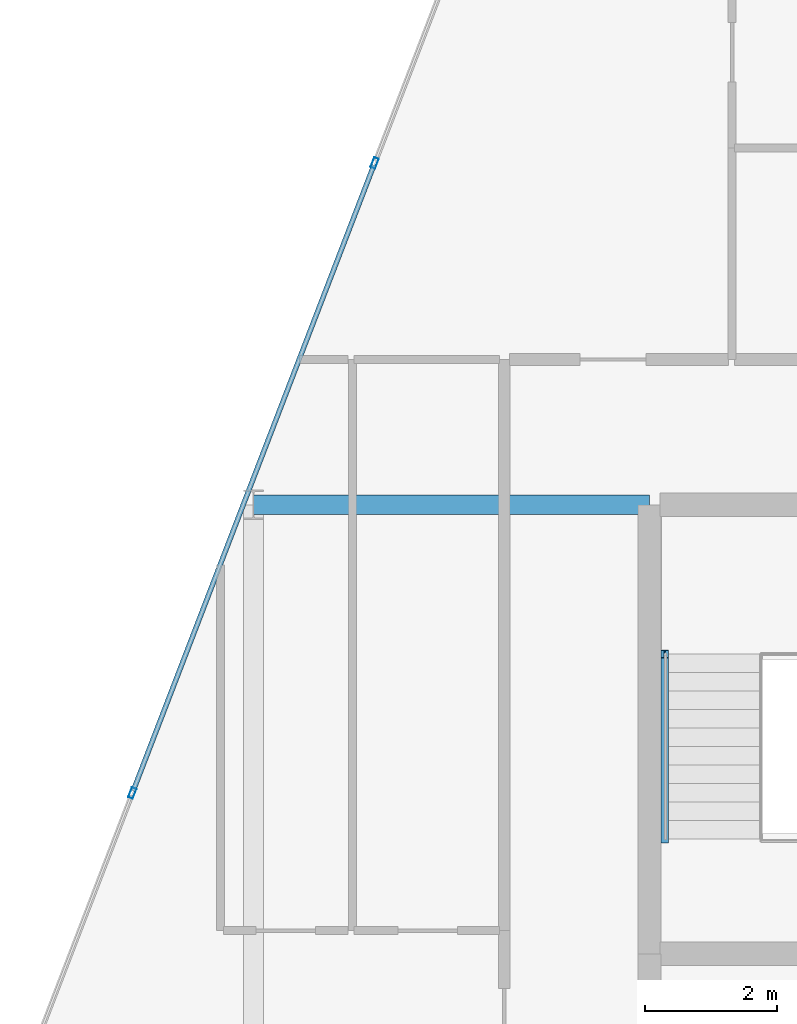
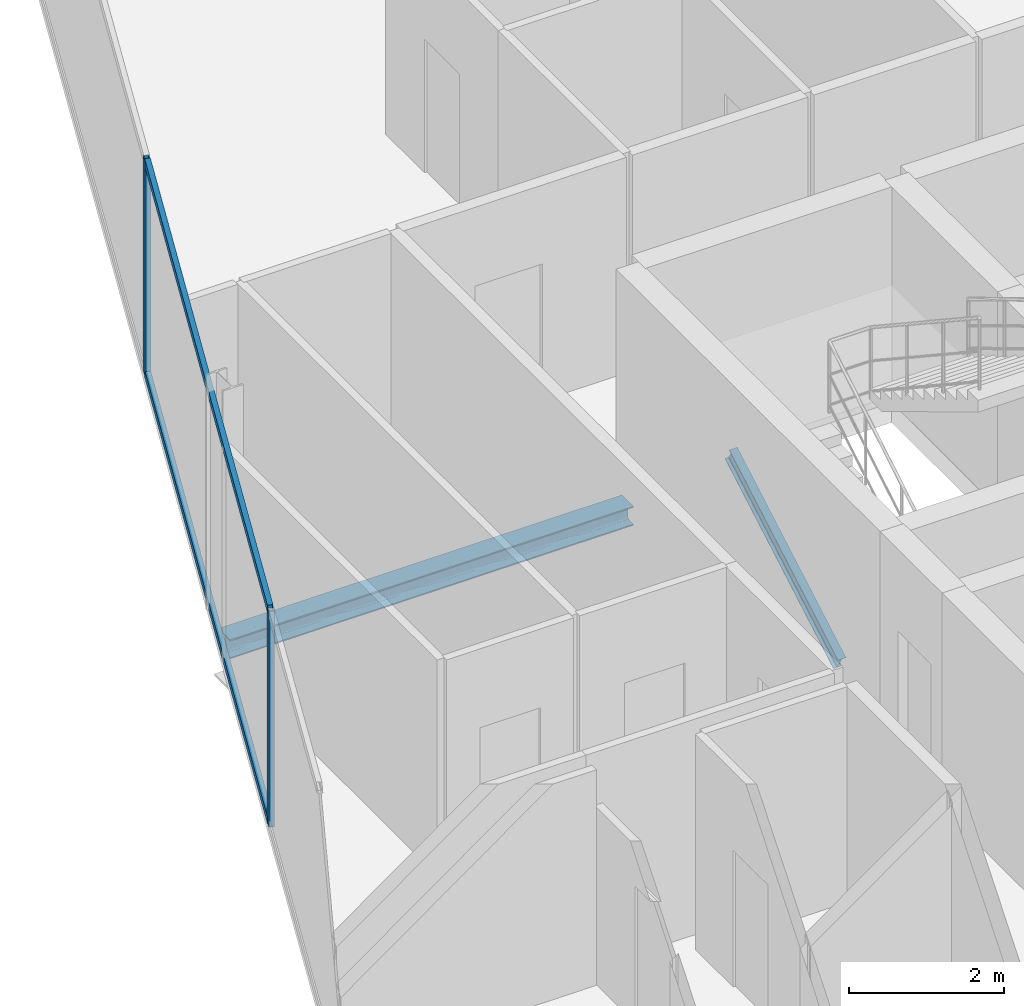
# One storey, part 16 of 29: 5 members, 1 beam, 1 element without a shape of its own.
"""IFC4 building model written with IfcOpenShell, lengths in metres."""

from ifc_helpers import new_model, si_unit, direction, frame, origin, origin_2d, place, context, subcontext, project, spatial, hollow_rectangle, i_section, extrude, material, layer, layer_set, material_profile, profile_set, type_object, element, aggregate, save


model = new_model("IFC4")

# Units and contexts
model_context = context("Model", 3, precision=1e-05, world=origin(), true_north=direction((0.0, 1.0)))
body_context = subcontext(model_context, "Body", "Model", "MODEL_VIEW")
ifc_project = project(units=[si_unit("LENGTHUNIT", "METRE"), si_unit("AREAUNIT", "SQUARE_METRE"), si_unit("VOLUMEUNIT", "CUBIC_METRE"), si_unit("PLANEANGLEUNIT", "RADIAN"), si_unit("MASSUNIT", "GRAM", prefix="KILO")], contexts=[model_context])

# Site, building, storey
site_placement = place(None, origin())
site = spatial("IfcSite", under=ifc_project, at=site_placement, CompositionType="ELEMENT")
building_placement = place(site_placement, origin())
building = spatial("IfcBuilding", under=site, at=building_placement, Name="Keshet Zoharim Tower", CompositionType="ELEMENT")
storey_placement = place(building_placement, frame((0.0, 0.0, 176.5)))
storey = spatial("IfcBuildingStorey", under=building, at=storey_placement, Name="L43", CompositionType="ELEMENT", Elevation=176.5)

# Beam
ifc_material_1 = material(Name="Steel S355", Category="steel")
ifc_material_profile_1 = material_profile(ifc_material_1, i_section(OverallWidth=0.300048828125, OverallDepth=0.300048828125, WebThickness=0.010986328125, FlangeThickness=0.01904296875, FilletRadius=0.027099609375, at=origin_2d()), Name="HEB300")
ifc_profile_set_1 = profile_set([ifc_material_profile_1], Name="Steel S355")
beam_type = type_object("IfcBeamType", Name="BM-PRI-HB300", PredefinedType="BEAM", material=ifc_profile_set_1)
beam_placement = place(storey_placement, frame((9.0, 37.89990234375, -0.4599609375), z_axis=(1.0, 0.0, 0.0), x_axis=(0.0, 1.0, 0.0)))
element("IfcBeam", 1, at=beam_placement, inside=storey, type_object=beam_type, Name="L43 Primary Girder X-017", PredefinedType="BEAM", context=body_context, shape_type="SweptSolid", body=[
    extrude(i_section(OverallWidth=0.300048828125, OverallDepth=0.300048828125, WebThickness=0.010986328125, FlangeThickness=0.01904296875, FilletRadius=0.027099609375, at=origin_2d()), origin(), (0.0, 0.0, 1.0), 6.0),
])

# Curtain wall, members
ifc_material_2 = material(Name="Aluminium 6063-T6", Category="aluminium")
ifc_layer = layer(ifc_material_2, 0.139892578125)
ifc_layer_set = layer_set([ifc_layer], Name="Aluminium 6063-T6")
curtain_wall_type = type_object("IfcCurtainWallType", Name="CW-SYS-05", PredefinedType="NOTDEFINED", material=ifc_layer_set)
curtain_wall_placement = place(storey_placement, origin())
curtain_wall = element("IfcCurtainWall", 2, at=curtain_wall_placement, inside=storey, type_object=curtain_wall_type, Name="L43 Unitised Curtain Wall 13", PredefinedType="NOTDEFINED")
ifc_material_profile_2 = material_profile(ifc_material_2, hollow_rectangle(XDim=0.074951171875, YDim=0.159912109375, WallThickness=0.00390625, at=origin_2d()), Name="MUL-75x160")
ifc_profile_set_2 = profile_set([ifc_material_profile_2], Name="Aluminium 6063-T6")
member_type_1 = type_object("IfcMemberType", Name="CWM-M15", PredefinedType="MULLION", material=ifc_profile_set_2)
member_1_placement = place(storey_placement, frame((7.1669921875, 33.53466796875, 0.0), z_axis=(0.0, 0.0, 1.0), x_axis=(-0.933341404361, 0.358990003907, 0.0)))
member_1 = element("IfcMember", 3, at=member_1_placement, type_object=member_type_1, Name="CW-05 mullion 2", PredefinedType="MULLION", context=body_context, shape_type="SweptSolid", body=[
    extrude(hollow_rectangle(XDim=0.074951171875, YDim=0.159912109375, WallThickness=0.00390625, at=origin_2d()), origin(), (0.0, 0.0, 1.0), 3.389892578125),
])
member_2_placement = place(storey_placement, frame((10.8369140625, 43.076416015625, 0.0), z_axis=(0.0, 0.0, 1.0), x_axis=(-0.933341404361, 0.358990003907, 0.0)))
member_2 = element("IfcMember", 4, at=member_2_placement, type_object=member_type_1, Name="CW-05 mullion 3", PredefinedType="MULLION", context=body_context, shape_type="SweptSolid", body=[
    extrude(hollow_rectangle(XDim=0.074951171875, YDim=0.159912109375, WallThickness=0.00390625, at=origin_2d()), origin(), (0.0, 0.0, 1.0), 3.389892578125),
])
ifc_material_profile_3 = material_profile(ifc_material_2, hollow_rectangle(XDim=0.074951171875, YDim=0.1201171875, WallThickness=0.00390625, at=origin_2d()), Name="TRN-75x120")
ifc_profile_set_3 = profile_set([ifc_material_profile_3], Name="Aluminium 6063-T6")
member_type_2 = type_object("IfcMemberType", Name="CWT-T12", PredefinedType="USERDEFINED", material=ifc_profile_set_3)
member_3_placement = place(storey_placement, frame((7.179443359375, 33.5673828125, 0.034912109375), z_axis=(0.359003248899, 0.933336309848, 0.0), x_axis=(-0.933336309848, 0.359003248899, 0.0)))
member_3 = element("IfcMember", 5, at=member_3_placement, type_object=member_type_2, Name="CW-05 transom 2.1", ObjectType="TRANSOM", PredefinedType="USERDEFINED", context=body_context, shape_type="SweptSolid", body=[
    extrude(hollow_rectangle(XDim=0.074951171875, YDim=0.1201171875, WallThickness=0.00390625, at=origin_2d()), origin(), (0.0, 0.0, 1.0), 10.153076171875),
])
member_4_placement = place(storey_placement, frame((7.179443359375, 33.5673828125, 3.35498046875), z_axis=(0.359003248899, 0.933336309848, 0.0), x_axis=(-0.933336309848, 0.359003248899, 0.0)))
member_4 = element("IfcMember", 6, at=member_4_placement, type_object=member_type_2, Name="CW-05 transom 2.2", ObjectType="TRANSOM", PredefinedType="USERDEFINED", context=body_context, shape_type="SweptSolid", body=[
    extrude(hollow_rectangle(XDim=0.074951171875, YDim=0.1201171875, WallThickness=0.00390625, at=origin_2d()), origin(), (0.0, 0.0, 1.0), 10.153076171875),
])
aggregate(curtain_wall, [member_1, member_2, member_3, member_4])

# Member
ifc_material_profile_4 = material_profile(ifc_material_1, i_section(OverallWidth=0.1201171875, OverallDepth=0.239990234375, WebThickness=0.006103515625, FlangeThickness=0.009765625, FilletRadius=0.014892578125, at=origin_2d()), Name="IPE240")
ifc_profile_set_4 = profile_set([ifc_material_profile_4], Name="Steel S355")
member_type_3 = type_object("IfcMemberType", Name="MB-STRG-IP240", PredefinedType="STRINGER", material=ifc_profile_set_4)
member_5_placement = place(storey_placement, frame((15.22998046875, 32.840087890625, 0.1201171875), z_axis=(0.0, 0.866909569656, 0.498465443174), x_axis=(-1.0, 0.0, 0.0)))
element("IfcMember", 7, at=member_5_placement, inside=storey, type_object=member_type_3, Name="L43 ST-02 Flight Steel Stringer", PredefinedType="STRINGER", context=body_context, shape_type="SweptSolid", body=[
    extrude(i_section(OverallWidth=0.1201171875, OverallDepth=0.239990234375, WebThickness=0.006103515625, FlangeThickness=0.009765625, FilletRadius=0.014892578125, at=origin_2d()), origin(), (0.0, 0.0, 1.0), 3.229736328125),
])

save(model, "model.ifc")
